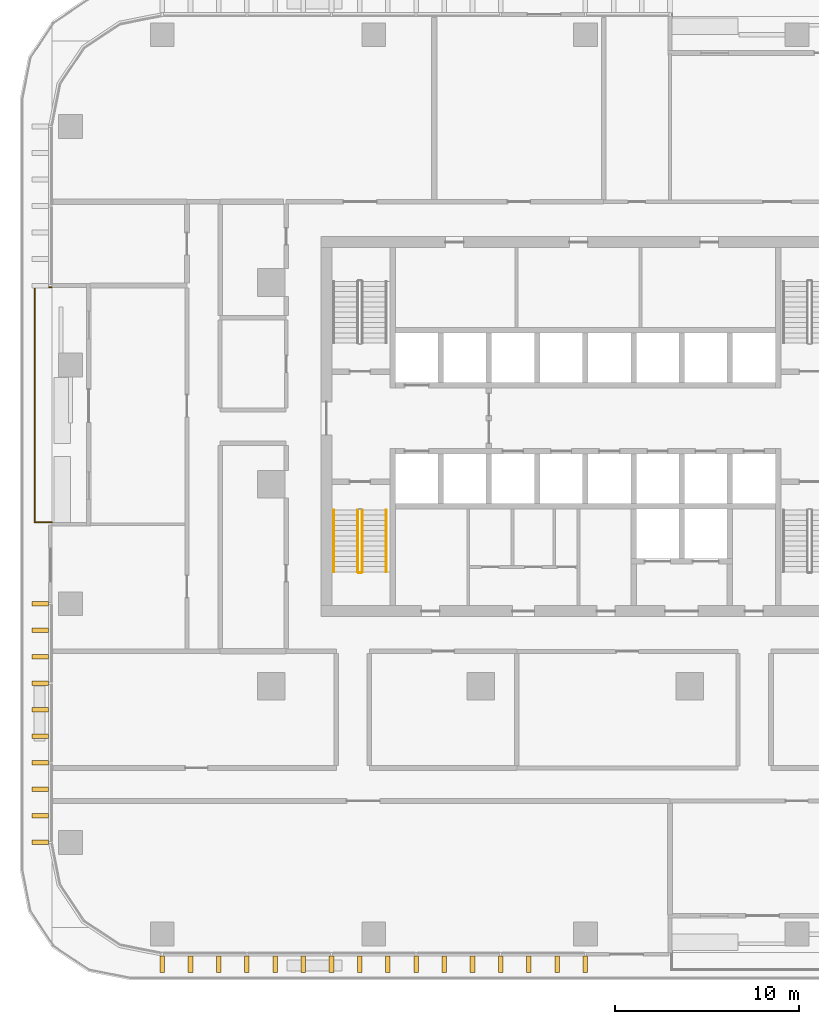
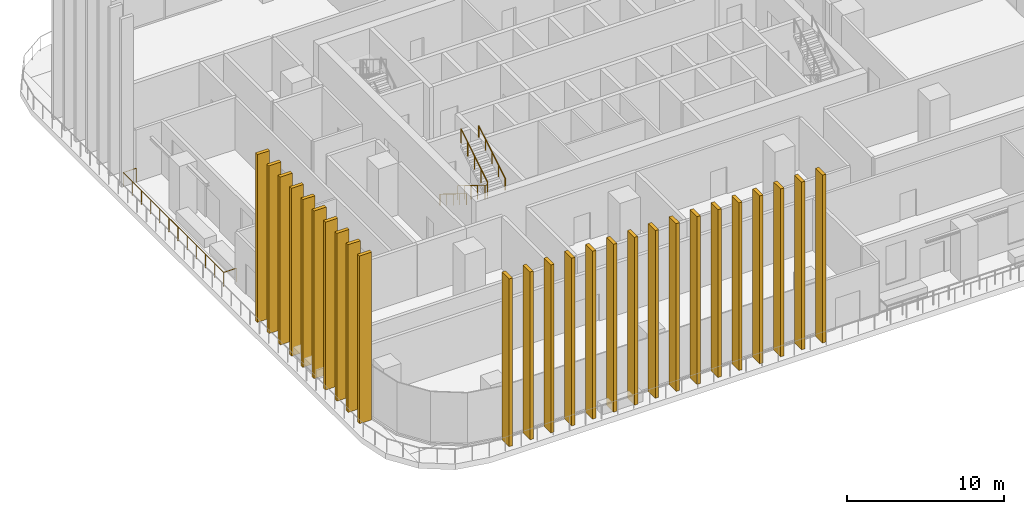
# One storey, part 12 of 18: 26 shading devices, 5 railings.
"""IFC4 building model written with IfcOpenShell, lengths in metres."""

from ifc_helpers import new_model, si_unit, direction, frame, origin, origin_2d, place, context, subcontext, project, spatial, rectangle, circle, extrude, material, type_object, element, save


model = new_model("IFC4")

# Units and contexts
model_context = context("Model", 3, precision=1e-05, world=origin(), true_north=direction((0.0, 1.0)))
body_context = subcontext(model_context, "Body", "Model", "MODEL_VIEW")
ifc_project = project(units=[si_unit("LENGTHUNIT", "METRE"), si_unit("AREAUNIT", "SQUARE_METRE"), si_unit("VOLUMEUNIT", "CUBIC_METRE"), si_unit("PLANEANGLEUNIT", "RADIAN"), si_unit("MASSUNIT", "GRAM", prefix="KILO")], contexts=[model_context])

# Site, building, storey
site_placement = place(None, origin())
site = spatial("IfcSite", under=ifc_project, at=site_placement, CompositionType="ELEMENT")
building_placement = place(site_placement, origin())
building = spatial("IfcBuilding", under=site, at=building_placement, Name="Mopane Tessera Tower", CompositionType="ELEMENT")
storey_placement = place(building_placement, frame((0.0, 0.0, 94.60009765625)))
storey = spatial("IfcBuildingStorey", under=building, at=storey_placement, Name="L18", CompositionType="ELEMENT", Elevation=94.60009765625)

# Shading devices
ifc_material_1 = material(Name="Glazed ceramic tile")
shading_device_type = type_object("IfcShadingDeviceType", Name="Ceramic tile fin 900 x 250 mm", PredefinedType="USERDEFINED", material=ifc_material_1)
for number, where, z_axis, x_axis, name in (
    (1, (-23.050048828125, -26.14990234375, 0.0), (0.0, 0.0, 1.0), (1.0, 0.0, 0.0), "e:fin:L18:S:0:0"),
    (2, (-21.513427734375, -26.14990234375, 0.0), (0.0, 0.0, 1.0), (1.0, 0.0, 0.0), "e:fin:L18:S:0:1"),
    (3, (-19.9765625, -26.14990234375, 0.0), (0.0, 0.0, 1.0), (1.0, 0.0, 0.0), "e:fin:L18:S:0:2"),
    (4, (-18.43994140625, -26.14990234375, 0.0), (0.0, 0.0, 1.0), (1.0, 0.0, 0.0), "e:fin:L18:S:1:0"),
    (5, (-16.9033203125, -26.14990234375, 0.0), (0.0, 0.0, 1.0), (1.0, 0.0, 0.0), "e:fin:L18:S:1:1"),
    (6, (-15.36669921875, -26.14990234375, 0.0), (0.0, 0.0, 1.0), (1.0, 0.0, 0.0), "e:fin:L18:S:1:2"),
    (7, (-13.830078125, -26.14990234375, 0.0), (0.0, 0.0, 1.0), (1.0, 0.0, 0.0), "e:fin:L18:S:2:0"),
    (8, (-12.293212890625, -26.14990234375, 0.0), (0.0, 0.0, 1.0), (1.0, 0.0, 0.0), "e:fin:L18:S:2:1"),
    (9, (-10.756591796875, -26.14990234375, 0.0), (0.0, 0.0, 1.0), (1.0, 0.0, 0.0), "e:fin:L18:S:2:2"),
    (10, (-9.219970703125, -26.14990234375, 0.0), (0.0, 0.0, 1.0), (1.0, 0.0, 0.0), "e:fin:L18:S:3:0"),
    (11, (-7.683349609375, -26.14990234375, 0.0), (0.0, 0.0, 1.0), (1.0, 0.0, 0.0), "e:fin:L18:S:3:1"),
    (12, (-6.146728515625, -26.14990234375, 0.0), (0.0, 0.0, 1.0), (1.0, 0.0, 0.0), "e:fin:L18:S:3:2"),
    (13, (-4.610107421875, -26.14990234375, 0.0), (0.0, 0.0, 1.0), (1.0, 0.0, 0.0), "e:fin:L18:S:4:0"),
    (14, (-3.0732421875, -26.14990234375, 0.0), (0.0, 0.0, 1.0), (1.0, 0.0, 0.0), "e:fin:L18:S:4:1"),
    (15, (-1.53662109375, -26.14990234375, 0.0), (0.0, 0.0, 1.0), (1.0, 0.0, 0.0), "e:fin:L18:S:4:2"),
    (16, (0.0, -26.14990234375, 0.0), (0.0, 0.0, 1.0), (1.0, 0.0, 0.0), "e:fin:L18:S:4:3"),
    (17, (-29.699951171875, -6.5, 0.0), (0.0, 0.0, 1.0), (0.0, -1.0, 0.0), "e:fin:L18:W:6:0"),
    (18, (-29.699951171875, -7.9443359375, 0.0), (0.0, 0.0, 1.0), (0.0, -1.0, 0.0), "e:fin:L18:W:6:1"),
    (19, (-29.699951171875, -9.388916015625, 0.0), (0.0, 0.0, 1.0), (0.0, -1.0, 0.0), "e:fin:L18:W:6:2"),
    (20, (-29.699951171875, -10.833251953125, 0.0), (0.0, 0.0, 1.0), (0.0, -1.0, 0.0), "e:fin:L18:W:7:0"),
    (21, (-29.699951171875, -12.27783203125, 0.0), (0.0, 0.0, 1.0), (0.0, -1.0, 0.0), "e:fin:L18:W:7:1"),
    (22, (-29.699951171875, -13.72216796875, 0.0), (0.0, 0.0, 1.0), (0.0, -1.0, 0.0), "e:fin:L18:W:7:2"),
    (23, (-29.699951171875, -15.166748046875, 0.0), (0.0, 0.0, 1.0), (0.0, -1.0, 0.0), "e:fin:L18:W:8:0"),
    (24, (-29.699951171875, -16.611083984375, 0.0), (0.0, 0.0, 1.0), (0.0, -1.0, 0.0), "e:fin:L18:W:8:1"),
    (25, (-29.699951171875, -18.0556640625, 0.0), (0.0, 0.0, 1.0), (0.0, -1.0, 0.0), "e:fin:L18:W:8:2"),
    (26, (-29.699951171875, -19.5, 0.0), (0.0, 0.0, 1.0), (0.0, -1.0, 0.0), "e:fin:L18:W:8:3"),
):
    element("IfcShadingDevice", number, at=place(storey_placement, frame(where, z_axis=z_axis, x_axis=x_axis)), inside=storey, type_object=shading_device_type, Name=name, ObjectType="FIN", PredefinedType="USERDEFINED", context=body_context, shape_type="SweptSolid", body=[
        extrude(rectangle(XDim=0.25, YDim=0.89990234375, at=origin_2d()), origin(), (0.0, 0.0, 1.0), 13.050048828125),
    ])

# Railings
ifc_material_2 = material(Name="Powder-coated steel balustrade", Category="steel")
railing_type_1 = type_object("IfcRailingType", Name="Escape stair guard 1100 mm", PredefinedType="GUARDRAIL", material=ifc_material_2)
railing_1_placement = place(storey_placement, frame((-12.39990234375, -1.39990234375, 0.173095703125)))
element("IfcRailing", 27, at=railing_1_placement, inside=storey, type_object=railing_type_1, Name="L18 ST1 stair guard 1", PredefinedType="GUARDRAIL", context=body_context, shape_type="SweptSolid", body=[
    extrude(circle(Radius=0.02392578125, at=origin_2d()), frame((0.0, 0.0, 1.076171875), z_axis=(0.0, -0.850623216509, 0.525775754039), x_axis=(1.0, 0.0, 0.0)), (0.0, 0.0, 1.0), 3.9501953125),
    extrude(circle(Radius=0.02392578125, at=origin_2d()), frame((0.0, -3.360107421875, 3.15283203125), z_axis=(0.705375805398, -0.708833529934, 0.0), x_axis=(0.708833529934, 0.705375805398, 0.0)), (0.0, 0.0, 1.0), 0.070556640625),
    extrude(circle(Radius=0.02392578125, at=origin_2d()), frame((0.0498046875, -3.41015625, 3.15283203125), z_axis=(1.0, 0.0, 0.0), x_axis=(0.0, 1.0, 0.0)), (0.0, 0.0, 1.0), 0.150146484375),
    extrude(circle(Radius=0.02099609375, at=origin_2d()), origin(), (0.0, 0.0, 1.0), 1.052001953125),
    extrude(circle(Radius=0.02099609375, at=origin_2d()), frame((0.0, -0.840087890625, 0.519287109375)), (0.0, 0.0, 1.0), 1.052001953125),
    extrude(circle(Radius=0.02099609375, at=origin_2d()), frame((0.0, -1.68017578125, 1.03857421875)), (0.0, 0.0, 1.0), 1.052001953125),
    extrude(circle(Radius=0.02099609375, at=origin_2d()), frame((0.0, -2.52001953125, 1.5576171875)), (0.0, 0.0, 1.0), 1.052001953125),
    extrude(circle(Radius=0.02099609375, at=origin_2d()), frame((0.0, -3.360107421875, 2.076904296875)), (0.0, 0.0, 1.0), 1.052001953125),
    extrude(circle(Radius=0.02099609375, at=origin_2d()), frame((0.0498046875, -3.41015625, 2.076904296875)), (0.0, 0.0, 1.0), 1.052001953125),
    extrude(circle(Radius=0.02099609375, at=origin_2d()), frame((0.199951171875, -3.41015625, 2.076904296875)), (0.0, 0.0, 1.0), 1.052001953125),
])
railing_2_placement = place(storey_placement, frame((-12.14990234375, -4.760009765625, 2.423095703125)))
element("IfcRailing", 28, at=railing_2_placement, inside=storey, type_object=railing_type_1, Name="L18 ST1 stair guard 2", PredefinedType="GUARDRAIL", context=body_context, shape_type="SweptSolid", body=[
    extrude(circle(Radius=0.02392578125, at=origin_2d()), frame((0.0, 0.0, 1.076171875), z_axis=(0.0, 0.850623216509, 0.525775754039), x_axis=(-1.0, 0.0, 0.0)), (0.0, 0.0, 1.0), 3.9501953125),
    extrude(circle(Radius=0.02099609375, at=origin_2d()), origin(), (0.0, 0.0, 1.0), 1.052001953125),
    extrude(circle(Radius=0.02099609375, at=origin_2d()), frame((0.0, 0.840087890625, 0.519287109375)), (0.0, 0.0, 1.0), 1.052001953125),
    extrude(circle(Radius=0.02099609375, at=origin_2d()), frame((0.0, 1.68017578125, 1.03857421875)), (0.0, 0.0, 1.0), 1.052001953125),
    extrude(circle(Radius=0.02099609375, at=origin_2d()), frame((0.0, 2.52001953125, 1.5576171875)), (0.0, 0.0, 1.0), 1.052001953125),
    extrude(circle(Radius=0.02099609375, at=origin_2d()), frame((0.0, 3.360107421875, 2.076904296875)), (0.0, 0.0, 1.0), 1.052001953125),
])
ifc_material_3 = material(Name="Powder-coated steel balustrade", Category="steel")
railing_type_2 = type_object("IfcRailingType", Name="Escape stair handrail 900 mm", PredefinedType="HANDRAIL", material=ifc_material_3)
railing_3_placement = place(storey_placement, frame((-13.699951171875, -1.39990234375, 0.173095703125)))
element("IfcRailing", 29, at=railing_3_placement, inside=storey, type_object=railing_type_2, Name="L18 ST1 stair handrail 1", PredefinedType="HANDRAIL", context=body_context, shape_type="SweptSolid", body=[
    extrude(circle(Radius=0.02392578125, at=origin_2d()), frame((0.0, 0.0, 0.8759765625), z_axis=(0.0, -0.850623216509, 0.525775754039), x_axis=(1.0, 0.0, 0.0)), (0.0, 0.0, 1.0), 3.9501953125),
    extrude(circle(Radius=0.02099609375, at=origin_2d()), origin(), (0.0, 0.0, 1.0), 0.851806640625),
    extrude(circle(Radius=0.02099609375, at=origin_2d()), frame((0.0, -0.840087890625, 0.519287109375)), (0.0, 0.0, 1.0), 0.851806640625),
    extrude(circle(Radius=0.02099609375, at=origin_2d()), frame((0.0, -1.68017578125, 1.03857421875)), (0.0, 0.0, 1.0), 0.851806640625),
    extrude(circle(Radius=0.02099609375, at=origin_2d()), frame((0.0, -2.52001953125, 1.5576171875)), (0.0, 0.0, 1.0), 0.851806640625),
    extrude(circle(Radius=0.02099609375, at=origin_2d()), frame((0.0, -3.360107421875, 2.076904296875)), (0.0, 0.0, 1.0), 0.851806640625),
])
railing_4_placement = place(storey_placement, frame((-10.85009765625, -4.760009765625, 2.423095703125)))
element("IfcRailing", 30, at=railing_4_placement, inside=storey, type_object=railing_type_2, Name="L18 ST1 stair handrail 2", PredefinedType="HANDRAIL", context=body_context, shape_type="SweptSolid", body=[
    extrude(circle(Radius=0.02392578125, at=origin_2d()), frame((0.0, 0.0, 0.8759765625), z_axis=(0.0, 0.850623216509, 0.525775754039), x_axis=(-1.0, 0.0, 0.0)), (0.0, 0.0, 1.0), 3.9501953125),
    extrude(circle(Radius=0.02099609375, at=origin_2d()), origin(), (0.0, 0.0, 1.0), 0.851806640625),
    extrude(circle(Radius=0.02099609375, at=origin_2d()), frame((0.0, 0.840087890625, 0.519287109375)), (0.0, 0.0, 1.0), 0.851806640625),
    extrude(circle(Radius=0.02099609375, at=origin_2d()), frame((0.0, 1.68017578125, 1.03857421875)), (0.0, 0.0, 1.0), 0.851806640625),
    extrude(circle(Radius=0.02099609375, at=origin_2d()), frame((0.0, 2.52001953125, 1.5576171875)), (0.0, 0.0, 1.0), 0.851806640625),
    extrude(circle(Radius=0.02099609375, at=origin_2d()), frame((0.0, 3.360107421875, 2.076904296875)), (0.0, 0.0, 1.0), 0.851806640625),
])
ifc_material_4 = material(Name="Stainless steel S316", Category="steel")
railing_type_3 = type_object("IfcRailingType", Name="Terrace guard 1100", PredefinedType="GUARDRAIL", material=ifc_material_4)
railing_5_placement = place(storey_placement, frame((-29.050048828125, 10.7333984375, 0.0)))
element("IfcRailing", 31, at=railing_5_placement, inside=storey, type_object=railing_type_3, Name="e:nw:L18:N2:guard", PredefinedType="GUARDRAIL", context=body_context, shape_type="SweptSolid", body=[
    extrude(circle(Radius=0.02392578125, at=origin_2d()), frame((0.0, 0.0, 1.076171875), z_axis=(-1.0, 0.0, 0.0), x_axis=(0.0, -1.0, 0.0)), (0.0, 0.0, 1.0), 0.949951171875),
    extrude(circle(Radius=0.02392578125, at=origin_2d()), frame((-0.949951171875, 0.0, 1.076171875), z_axis=(0.0, -1.0, 0.0), x_axis=(1.0, 0.0, 0.0)), (0.0, 0.0, 1.0), 12.800048828125),
    extrude(circle(Radius=0.02392578125, at=origin_2d()), frame((-0.949951171875, -12.800048828125, 1.076171875), z_axis=(1.0, 0.0, 0.0), x_axis=(0.0, 1.0, 0.0)), (0.0, 0.0, 1.0), 0.949951171875),
    extrude(circle(Radius=0.02099609375, at=origin_2d()), origin(), (0.0, 0.0, 1.0), 1.052001953125),
    extrude(circle(Radius=0.02099609375, at=origin_2d()), frame((-0.949951171875, 0.0, 0.0)), (0.0, 0.0, 1.0), 1.052001953125),
    extrude(circle(Radius=0.02099609375, at=origin_2d()), frame((-0.949951171875, -1.16357421875, 0.0)), (0.0, 0.0, 1.0), 1.052001953125),
    extrude(circle(Radius=0.02099609375, at=origin_2d()), frame((-0.949951171875, -2.327392578125, 0.0)), (0.0, 0.0, 1.0), 1.052001953125),
    extrude(circle(Radius=0.02099609375, at=origin_2d()), frame((-0.949951171875, -3.490966796875, 0.0)), (0.0, 0.0, 1.0), 1.052001953125),
    extrude(circle(Radius=0.02099609375, at=origin_2d()), frame((-0.949951171875, -4.654541015625, 0.0)), (0.0, 0.0, 1.0), 1.052001953125),
    extrude(circle(Radius=0.02099609375, at=origin_2d()), frame((-0.949951171875, -5.818115234375, 0.0)), (0.0, 0.0, 1.0), 1.052001953125),
    extrude(circle(Radius=0.02099609375, at=origin_2d()), frame((-0.949951171875, -6.98193359375, 0.0)), (0.0, 0.0, 1.0), 1.052001953125),
    extrude(circle(Radius=0.02099609375, at=origin_2d()), frame((-0.949951171875, -8.1455078125, 0.0)), (0.0, 0.0, 1.0), 1.052001953125),
    extrude(circle(Radius=0.02099609375, at=origin_2d()), frame((-0.949951171875, -9.30908203125, 0.0)), (0.0, 0.0, 1.0), 1.052001953125),
    extrude(circle(Radius=0.02099609375, at=origin_2d()), frame((-0.949951171875, -10.47265625, 0.0)), (0.0, 0.0, 1.0), 1.052001953125),
    extrude(circle(Radius=0.02099609375, at=origin_2d()), frame((-0.949951171875, -11.636474609375, 0.0)), (0.0, 0.0, 1.0), 1.052001953125),
    extrude(circle(Radius=0.02099609375, at=origin_2d()), frame((-0.949951171875, -12.800048828125, 0.0)), (0.0, 0.0, 1.0), 1.052001953125),
    extrude(circle(Radius=0.02099609375, at=origin_2d()), frame((0.0, -12.800048828125, 0.0)), (0.0, 0.0, 1.0), 1.052001953125),
])

save(model, "model.ifc")
